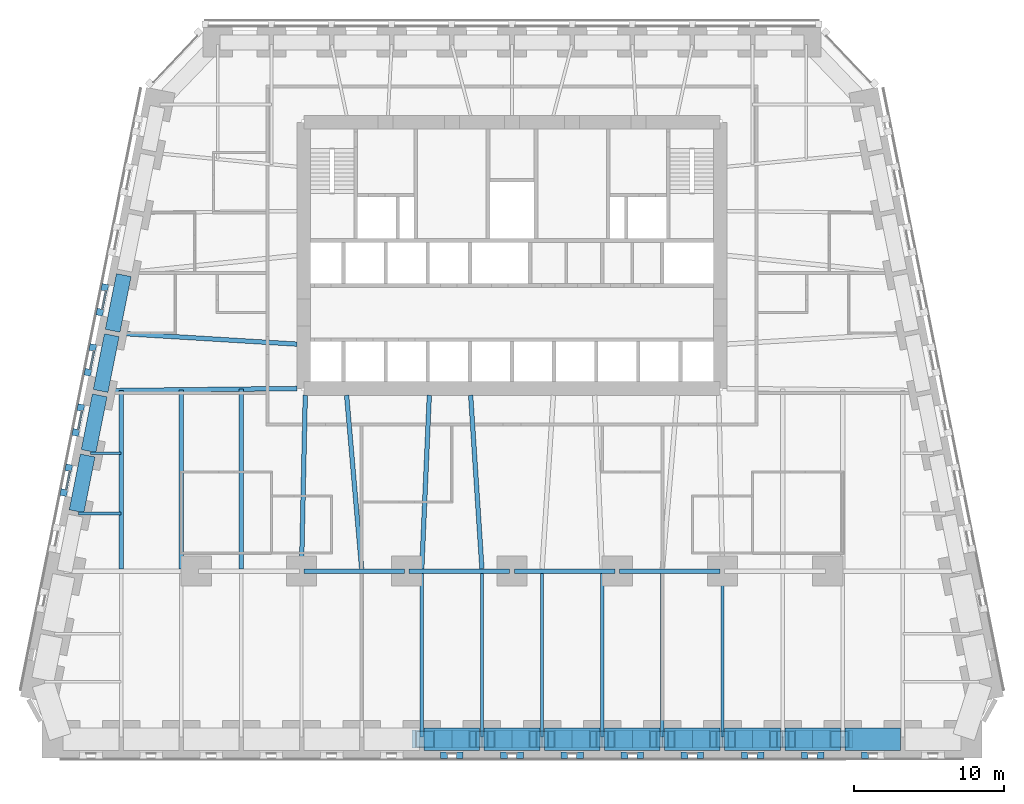
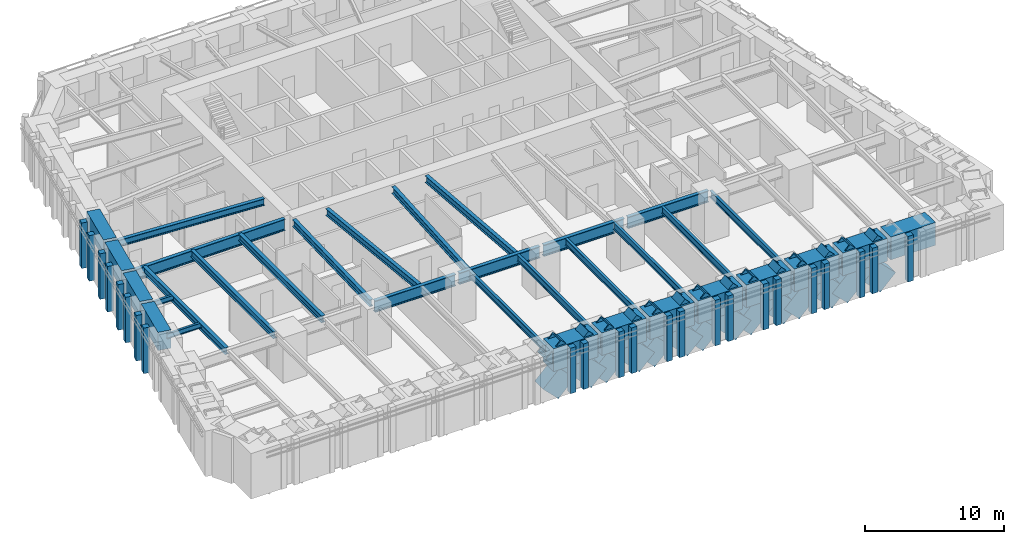
# One storey, part 2 of 16: 41 members, 33 beams, 12 elements without a shape of their own.
"""IFC4 building model written with IfcOpenShell, lengths in metres."""

from ifc_helpers import new_model, si_unit, direction, frame, origin, origin_2d, place, context, subcontext, project, spatial, rectangle, hollow_rectangle, i_section, extrude, material, material_profile, profile_set, type_object, element, aggregate, save


model = new_model("IFC4")

# Units and contexts
model_context = context("Model", 3, precision=1e-05, world=origin(), true_north=direction((0.0, 1.0)))
body_context = subcontext(model_context, "Body", "Model", "MODEL_VIEW")
ifc_project = project(units=[si_unit("LENGTHUNIT", "METRE"), si_unit("AREAUNIT", "SQUARE_METRE"), si_unit("VOLUMEUNIT", "CUBIC_METRE"), si_unit("PLANEANGLEUNIT", "RADIAN"), si_unit("MASSUNIT", "GRAM", prefix="KILO")], contexts=[model_context])

# Site, building, storey
site_placement = place(None, origin())
site = spatial("IfcSite", under=ifc_project, at=site_placement, CompositionType="ELEMENT")
building_placement = place(site_placement, origin())
building = spatial("IfcBuilding", under=site, at=building_placement, Name="Isbrekke Arena Tower", CompositionType="ELEMENT")
storey_placement = place(building_placement, frame((0.0, 0.0, 40.0)))
storey = spatial("IfcBuildingStorey", under=building, at=storey_placement, Name="L07", CompositionType="ELEMENT", Elevation=40.0)

# Beams
ifc_material_1 = material(Name="Steel S355", Category="steel")
ifc_material_profile_1 = material_profile(ifc_material_1, i_section(OverallWidth=0.219970703125, OverallDepth=0.60009765625, WebThickness=0.011962890625, FlangeThickness=0.01904296875, FilletRadius=0.02392578125, at=origin_2d()), Name="IPE 600")
ifc_profile_set_1 = profile_set([ifc_material_profile_1], Name="Steel S355")
beam_type_1 = type_object("IfcBeamType", Name="B1 IPE 600", PredefinedType="BEAM", material=ifc_profile_set_1)
for number, where, z_axis, x_axis, name in (
    (1, (-6.0, -17.02490234375, 3.550048828125), (0.0, 1.0, 0.0), (-1.0, 0.0, 0.0), "B1 beam S-S07 L07"),
    (2, (-2.0, -17.02490234375, 3.550048828125), (0.0, 1.0, 0.0), (-1.0, 0.0, 0.0), "B1 beam S-S08 L07"),
    (3, (2.0, -17.02490234375, 3.550048828125), (0.0, 1.0, 0.0), (-1.0, 0.0, 0.0), "B1 beam S-S09 L07"),
    (4, (6.0, -17.02490234375, 3.550048828125), (0.0, 1.0, 0.0), (-1.0, 0.0, 0.0), "B1 beam S-S10 L07"),
    (5, (10.0, -17.02490234375, 3.550048828125), (0.0, 1.0, 0.0), (-1.0, 0.0, 0.0), "B1 beam S-S11 L07"),
):
    element("IfcBeam", number, at=place(storey_placement, frame(where, z_axis=z_axis, x_axis=x_axis)), inside=storey, type_object=beam_type_1, Name=name, PredefinedType="BEAM", context=body_context, shape_type="SweptSolid", body=[
        extrude(i_section(OverallWidth=0.219970703125, OverallDepth=0.60009765625, WebThickness=0.011962890625, FlangeThickness=0.01904296875, FilletRadius=0.02392578125, at=origin_2d()), origin(), (0.0, 0.0, 1.0), 10.8740234375),
    ])
beam_1_placement = place(storey_placement, frame((14.0, -17.02490234375, 3.550048828125), z_axis=(0.0, 1.0, 0.0), x_axis=(-1.0, 0.0, 0.0)))
element("IfcBeam", 6, at=beam_1_placement, inside=storey, type_object=beam_type_1, Name="B1 beam S-S12 L07", PredefinedType="BEAM", context=body_context, shape_type="SweptSolid", body=[
    extrude(i_section(OverallWidth=0.219970703125, OverallDepth=0.60009765625, WebThickness=0.011962890625, FlangeThickness=0.01904296875, FilletRadius=0.02392578125, at=origin_2d()), origin(), (0.0, 0.0, 1.0), 10.875),
])
ifc_material_2 = material(Name="Steel S355", Category="steel")
ifc_material_profile_2 = material_profile(ifc_material_2, i_section(OverallWidth=0.18994140625, OverallDepth=0.449951171875, WebThickness=0.009521484375, FlangeThickness=0.0146484375, FilletRadius=0.02099609375, at=origin_2d()), Name="IPE 450")
ifc_profile_set_2 = profile_set([ifc_material_profile_2], Name="Steel S355")
beam_type_2 = type_object("IfcBeamType", Name="B2 IPE 450", PredefinedType="BEAM", material=ifc_profile_set_2)
beam_2_placement = place(storey_placement, frame((-28.041015625, 1.838134765625, 3.625), z_axis=(1.0, 0.0, 0.0), x_axis=(0.0, 1.0, 0.0)))
element("IfcBeam", 7, at=beam_2_placement, inside=storey, type_object=beam_type_2, Name="B2 beam E-W07 L07", PredefinedType="BEAM", context=body_context, shape_type="SweptSolid", body=[
    extrude(i_section(OverallWidth=0.18994140625, OverallDepth=0.449951171875, WebThickness=0.009521484375, FlangeThickness=0.0146484375, FilletRadius=0.02099609375, at=origin_2d()), origin(), (0.0, 0.0, 1.0), 2.041015625),
])
beam_3_placement = place(storey_placement, frame((-28.841064453125, -2.161865234375, 3.625), z_axis=(1.0, 0.0, 0.0), x_axis=(0.0, 1.0, 0.0)))
element("IfcBeam", 8, at=beam_3_placement, inside=storey, type_object=beam_type_2, Name="B2 beam E-W08 L07", PredefinedType="BEAM", context=body_context, shape_type="SweptSolid", body=[
    extrude(i_section(OverallWidth=0.18994140625, OverallDepth=0.449951171875, WebThickness=0.009521484375, FlangeThickness=0.0146484375, FilletRadius=0.02099609375, at=origin_2d()), origin(), (0.0, 0.0, 1.0), 2.841064453125),
])
ifc_material_3 = material(Name="Steel S355", Category="steel")
ifc_material_profile_3 = material_profile(ifc_material_3, i_section(OverallWidth=0.300048828125, OverallDepth=0.60009765625, WebThickness=0.015380859375, FlangeThickness=0.030029296875, FilletRadius=0.027099609375, at=origin_2d()), Name="HEB 600")
ifc_profile_set_3 = profile_set([ifc_material_profile_3], Name="Steel S355")
beam_type_3 = type_object("IfcBeamType", Name="B7 HEB 600", PredefinedType="BEAM", material=ifc_profile_set_3)
beam_4_placement = place(storey_placement, frame((-26.0, -5.84912109375, 3.550048828125), z_axis=(0.0, 1.0, 0.0), x_axis=(-1.0, 0.0, 0.0)))
element("IfcBeam", 9, at=beam_4_placement, inside=storey, type_object=beam_type_3, Name="B7 beam C-M01 L07", PredefinedType="BEAM", context=body_context, shape_type="SweptSolid", body=[
    extrude(i_section(OverallWidth=0.300048828125, OverallDepth=0.60009765625, WebThickness=0.015380859375, FlangeThickness=0.030029296875, FilletRadius=0.027099609375, at=origin_2d()), origin(), (0.0, 0.0, 1.0), 11.864990234375),
])
beam_5_placement = place(storey_placement, frame((-22.0, -5.84912109375, 3.550048828125), z_axis=(0.0, 1.0, 0.0), x_axis=(-1.0, 0.0, 0.0)))
element("IfcBeam", 10, at=beam_5_placement, inside=storey, type_object=beam_type_3, Name="B7 beam C-M02 L07", PredefinedType="BEAM", context=body_context, shape_type="SweptSolid", body=[
    extrude(i_section(OverallWidth=0.300048828125, OverallDepth=0.60009765625, WebThickness=0.015380859375, FlangeThickness=0.030029296875, FilletRadius=0.027099609375, at=origin_2d()), origin(), (0.0, 0.0, 1.0), 11.910888671875),
])
beam_6_placement = place(storey_placement, frame((-18.0, -5.84912109375, 3.550048828125), z_axis=(0.0, 1.0, 0.0), x_axis=(-1.0, 0.0, 0.0)))
element("IfcBeam", 11, at=beam_6_placement, inside=storey, type_object=beam_type_3, Name="B7 beam C-M03 L07", PredefinedType="BEAM", context=body_context, shape_type="SweptSolid", body=[
    extrude(i_section(OverallWidth=0.300048828125, OverallDepth=0.60009765625, WebThickness=0.015380859375, FlangeThickness=0.030029296875, FilletRadius=0.027099609375, at=origin_2d()), origin(), (0.0, 0.0, 1.0), 11.956787109375),
])
beam_7_placement = place(storey_placement, frame((-14.0, -5.8466796875, 3.550048828125), z_axis=(0.021646264273, 0.999765692171, 0.0), x_axis=(-0.999765692171, 0.021646264273, 0.0)))
element("IfcBeam", 12, at=beam_7_placement, inside=storey, type_object=beam_type_3, Name="B7 beam C-M04 L07", PredefinedType="BEAM", context=body_context, shape_type="SweptSolid", body=[
    extrude(i_section(OverallWidth=0.300048828125, OverallDepth=0.60009765625, WebThickness=0.015380859375, FlangeThickness=0.030029296875, FilletRadius=0.027099609375, at=origin_2d()), origin(), (0.0, 0.0, 1.0), 11.54931640625),
])
beam_8_placement = place(storey_placement, frame((-10.001220703125, -5.836181640625, 3.550048828125), z_axis=(-0.086255671377, 0.996273034442, 0.0), x_axis=(-0.996273034442, -0.086255671377, 0.0)))
element("IfcBeam", 13, at=beam_8_placement, inside=storey, type_object=beam_type_3, Name="B7 beam C-M05 L07", PredefinedType="BEAM", context=body_context, shape_type="SweptSolid", body=[
    extrude(i_section(OverallWidth=0.300048828125, OverallDepth=0.60009765625, WebThickness=0.015380859375, FlangeThickness=0.030029296875, FilletRadius=0.027099609375, at=origin_2d()), origin(), (0.0, 0.0, 1.0), 11.579345703125),
])
beam_9_placement = place(storey_placement, frame((-5.999755859375, -5.842529296875, 3.550048828125), z_axis=(0.04325656756, 0.99906399663, 0.0), x_axis=(-0.99906399663, 0.04325656756, 0.0)))
element("IfcBeam", 14, at=beam_9_placement, inside=storey, type_object=beam_type_3, Name="B7 beam C-M06 L07", PredefinedType="BEAM", context=body_context, shape_type="SweptSolid", body=[
    extrude(i_section(OverallWidth=0.300048828125, OverallDepth=0.60009765625, WebThickness=0.015380859375, FlangeThickness=0.030029296875, FilletRadius=0.027099609375, at=origin_2d()), origin(), (0.0, 0.0, 1.0), 11.55322265625),
])
beam_10_placement = place(storey_placement, frame((-2.000732421875, -5.83935546875, 3.550048828125), z_axis=(-0.064795318476, 0.997898575359, 0.0), x_axis=(-0.997898575359, -0.064795318476, 0.0)))
element("IfcBeam", 15, at=beam_10_placement, inside=storey, type_object=beam_type_3, Name="B7 beam C-M07 L07", PredefinedType="BEAM", context=body_context, shape_type="SweptSolid", body=[
    extrude(i_section(OverallWidth=0.300048828125, OverallDepth=0.60009765625, WebThickness=0.015380859375, FlangeThickness=0.030029296875, FilletRadius=0.027099609375, at=origin_2d()), origin(), (0.0, 0.0, 1.0), 11.563720703125),
])
beam_11_placement = place(storey_placement, frame((-26.431884765625, 9.837646484375, 3.550048828125), z_axis=(0.998157121592, -0.060682457223, 0.0), x_axis=(0.060682457223, 0.998157121592, 0.0)))
element("IfcBeam", 16, at=beam_11_placement, inside=storey, type_object=beam_type_3, Name="B7 beam E-W05 L07", PredefinedType="BEAM", context=body_context, shape_type="SweptSolid", body=[
    extrude(i_section(OverallWidth=0.300048828125, OverallDepth=0.60009765625, WebThickness=0.015380859375, FlangeThickness=0.030029296875, FilletRadius=0.027099609375, at=origin_2d()), origin(), (0.0, 0.0, 1.0), 12.154296875),
])

# Curtain wall, members
ifc_material_4 = material(Name="Glazed aluminium curtain wall", Category="aluminium")
curtain_wall_type = type_object("IfcCurtainWallType", Name="CWL TOWER CURTAIN WALL LOW ZONE", PredefinedType="USERDEFINED", material=ifc_material_4)
curtain_wall_1_placement = place(storey_placement, origin())
curtain_wall_1 = element("IfcCurtainWall", 17, at=curtain_wall_1_placement, inside=storey, type_object=curtain_wall_type, Name="CWL curtain wall L07-S13", ObjectType="TOWER CURTAIN WALL LOW ZONE", PredefinedType="USERDEFINED")
ifc_material_5 = material(Name="Aluminium mullion, pale brick slip cladding", Category="masonry")
ifc_material_profile_4 = material_profile(ifc_material_5, rectangle(XDim=0.449951171875, YDim=0.449951171875, at=origin_2d()), Name="PIER 450X450")
ifc_profile_set_4 = profile_set([ifc_material_profile_4], Name="Aluminium mullion, pale brick slip cladding")
member_type_1 = type_object("IfcMemberType", Name="CWL-M PIER MULLION 450 x 450", PredefinedType="MULLION", material=ifc_profile_set_4)
member_1_placement = place(storey_placement, frame((-4.52490234375, -18.25, 0.0), z_axis=(0.0, 0.0, 1.0), x_axis=(1.0, 0.0, 0.0)))
member_1 = element("IfcMember", 18, at=member_1_placement, type_object=member_type_1, Name="CWL-M mullion 1", PredefinedType="MULLION", context=body_context, shape_type="SweptSolid", body=[
    extrude(rectangle(XDim=0.449951171875, YDim=0.449951171875, at=origin_2d()), origin(), (0.0, 0.0, 1.0), 4.0),
])
member_2_placement = place(storey_placement, frame((-3.47509765625, -18.25, 0.0), z_axis=(0.0, 0.0, 1.0), x_axis=(1.0, 0.0, 0.0)))
member_2 = element("IfcMember", 19, at=member_2_placement, type_object=member_type_1, Name="CWL-M mullion 2", PredefinedType="MULLION", context=body_context, shape_type="SweptSolid", body=[
    extrude(rectangle(XDim=0.449951171875, YDim=0.449951171875, at=origin_2d()), origin(), (0.0, 0.0, 1.0), 4.0),
])
aggregate(curtain_wall_1, [member_1, member_2])

curtain_wall_2_placement = place(storey_placement, origin())
curtain_wall_2 = element("IfcCurtainWall", 20, at=curtain_wall_2_placement, inside=storey, type_object=curtain_wall_type, Name="CWL curtain wall L07-S15", ObjectType="TOWER CURTAIN WALL LOW ZONE", PredefinedType="USERDEFINED")
member_3_placement = place(storey_placement, frame((-0.52490234375, -18.25, 0.0), z_axis=(0.0, 0.0, 1.0), x_axis=(1.0, 0.0, 0.0)))
member_3 = element("IfcMember", 21, at=member_3_placement, type_object=member_type_1, Name="CWL-M mullion 1", PredefinedType="MULLION", context=body_context, shape_type="SweptSolid", body=[
    extrude(rectangle(XDim=0.449951171875, YDim=0.449951171875, at=origin_2d()), origin(), (0.0, 0.0, 1.0), 4.0),
])
member_4_placement = place(storey_placement, frame((0.52490234375, -18.25, 0.0), z_axis=(0.0, 0.0, 1.0), x_axis=(1.0, 0.0, 0.0)))
member_4 = element("IfcMember", 22, at=member_4_placement, type_object=member_type_1, Name="CWL-M mullion 2", PredefinedType="MULLION", context=body_context, shape_type="SweptSolid", body=[
    extrude(rectangle(XDim=0.449951171875, YDim=0.449951171875, at=origin_2d()), origin(), (0.0, 0.0, 1.0), 4.0),
])
aggregate(curtain_wall_2, [member_3, member_4])

curtain_wall_3_placement = place(storey_placement, origin())
curtain_wall_3 = element("IfcCurtainWall", 23, at=curtain_wall_3_placement, inside=storey, type_object=curtain_wall_type, Name="CWL curtain wall L07-S17", ObjectType="TOWER CURTAIN WALL LOW ZONE", PredefinedType="USERDEFINED")
member_5_placement = place(storey_placement, frame((3.47509765625, -18.25, 0.0), z_axis=(0.0, 0.0, 1.0), x_axis=(1.0, 0.0, 0.0)))
member_5 = element("IfcMember", 24, at=member_5_placement, type_object=member_type_1, Name="CWL-M mullion 1", PredefinedType="MULLION", context=body_context, shape_type="SweptSolid", body=[
    extrude(rectangle(XDim=0.449951171875, YDim=0.449951171875, at=origin_2d()), origin(), (0.0, 0.0, 1.0), 4.0),
])
member_6_placement = place(storey_placement, frame((4.52490234375, -18.25, 0.0), z_axis=(0.0, 0.0, 1.0), x_axis=(1.0, 0.0, 0.0)))
member_6 = element("IfcMember", 25, at=member_6_placement, type_object=member_type_1, Name="CWL-M mullion 2", PredefinedType="MULLION", context=body_context, shape_type="SweptSolid", body=[
    extrude(rectangle(XDim=0.449951171875, YDim=0.449951171875, at=origin_2d()), origin(), (0.0, 0.0, 1.0), 4.0),
])
aggregate(curtain_wall_3, [member_5, member_6])

curtain_wall_4_placement = place(storey_placement, origin())
curtain_wall_4 = element("IfcCurtainWall", 26, at=curtain_wall_4_placement, inside=storey, type_object=curtain_wall_type, Name="CWL curtain wall L07-S19", ObjectType="TOWER CURTAIN WALL LOW ZONE", PredefinedType="USERDEFINED")
member_7_placement = place(storey_placement, frame((7.47509765625, -18.25, 0.0), z_axis=(0.0, 0.0, 1.0), x_axis=(1.0, 0.0, 0.0)))
member_7 = element("IfcMember", 27, at=member_7_placement, type_object=member_type_1, Name="CWL-M mullion 1", PredefinedType="MULLION", context=body_context, shape_type="SweptSolid", body=[
    extrude(rectangle(XDim=0.449951171875, YDim=0.449951171875, at=origin_2d()), origin(), (0.0, 0.0, 1.0), 4.0),
])
member_8_placement = place(storey_placement, frame((8.52490234375, -18.25, 0.0), z_axis=(0.0, 0.0, 1.0), x_axis=(1.0, 0.0, 0.0)))
member_8 = element("IfcMember", 28, at=member_8_placement, type_object=member_type_1, Name="CWL-M mullion 2", PredefinedType="MULLION", context=body_context, shape_type="SweptSolid", body=[
    extrude(rectangle(XDim=0.449951171875, YDim=0.449951171875, at=origin_2d()), origin(), (0.0, 0.0, 1.0), 4.0),
])
aggregate(curtain_wall_4, [member_7, member_8])

curtain_wall_5_placement = place(storey_placement, origin())
curtain_wall_5 = element("IfcCurtainWall", 29, at=curtain_wall_5_placement, inside=storey, type_object=curtain_wall_type, Name="CWL curtain wall L07-S21", ObjectType="TOWER CURTAIN WALL LOW ZONE", PredefinedType="USERDEFINED")
member_9_placement = place(storey_placement, frame((11.47509765625, -18.25, 0.0), z_axis=(0.0, 0.0, 1.0), x_axis=(1.0, 0.0, 0.0)))
member_9 = element("IfcMember", 30, at=member_9_placement, type_object=member_type_1, Name="CWL-M mullion 1", PredefinedType="MULLION", context=body_context, shape_type="SweptSolid", body=[
    extrude(rectangle(XDim=0.449951171875, YDim=0.449951171875, at=origin_2d()), origin(), (0.0, 0.0, 1.0), 4.0),
])
member_10_placement = place(storey_placement, frame((12.52490234375, -18.25, 0.0), z_axis=(0.0, 0.0, 1.0), x_axis=(1.0, 0.0, 0.0)))
member_10 = element("IfcMember", 31, at=member_10_placement, type_object=member_type_1, Name="CWL-M mullion 2", PredefinedType="MULLION", context=body_context, shape_type="SweptSolid", body=[
    extrude(rectangle(XDim=0.449951171875, YDim=0.449951171875, at=origin_2d()), origin(), (0.0, 0.0, 1.0), 4.0),
])
aggregate(curtain_wall_5, [member_9, member_10])

curtain_wall_6_placement = place(storey_placement, origin())
curtain_wall_6 = element("IfcCurtainWall", 32, at=curtain_wall_6_placement, inside=storey, type_object=curtain_wall_type, Name="CWL curtain wall L07-S23", ObjectType="TOWER CURTAIN WALL LOW ZONE", PredefinedType="USERDEFINED")
member_11_placement = place(storey_placement, frame((15.47509765625, -18.25, 0.0), z_axis=(0.0, 0.0, 1.0), x_axis=(1.0, 0.0, 0.0)))
member_11 = element("IfcMember", 33, at=member_11_placement, type_object=member_type_1, Name="CWL-M mullion 1", PredefinedType="MULLION", context=body_context, shape_type="SweptSolid", body=[
    extrude(rectangle(XDim=0.449951171875, YDim=0.449951171875, at=origin_2d()), origin(), (0.0, 0.0, 1.0), 4.0),
])
member_12_placement = place(storey_placement, frame((16.52490234375, -18.25, 0.0), z_axis=(0.0, 0.0, 1.0), x_axis=(1.0, 0.0, 0.0)))
member_12 = element("IfcMember", 34, at=member_12_placement, type_object=member_type_1, Name="CWL-M mullion 2", PredefinedType="MULLION", context=body_context, shape_type="SweptSolid", body=[
    extrude(rectangle(XDim=0.449951171875, YDim=0.449951171875, at=origin_2d()), origin(), (0.0, 0.0, 1.0), 4.0),
])
aggregate(curtain_wall_6, [member_11, member_12])

curtain_wall_7_placement = place(storey_placement, origin())
curtain_wall_7 = element("IfcCurtainWall", 35, at=curtain_wall_7_placement, inside=storey, type_object=curtain_wall_type, Name="CWL curtain wall L07-S25", ObjectType="TOWER CURTAIN WALL LOW ZONE", PredefinedType="USERDEFINED")
member_13_placement = place(storey_placement, frame((19.47509765625, -18.25, 0.0), z_axis=(0.0, 0.0, 1.0), x_axis=(1.0, 0.0, 0.0)))
member_13 = element("IfcMember", 36, at=member_13_placement, type_object=member_type_1, Name="CWL-M mullion 1", PredefinedType="MULLION", context=body_context, shape_type="SweptSolid", body=[
    extrude(rectangle(XDim=0.449951171875, YDim=0.449951171875, at=origin_2d()), origin(), (0.0, 0.0, 1.0), 4.0),
])
member_14_placement = place(storey_placement, frame((20.52490234375, -18.25, 0.0), z_axis=(0.0, 0.0, 1.0), x_axis=(1.0, 0.0, 0.0)))
member_14 = element("IfcMember", 37, at=member_14_placement, type_object=member_type_1, Name="CWL-M mullion 2", PredefinedType="MULLION", context=body_context, shape_type="SweptSolid", body=[
    extrude(rectangle(XDim=0.449951171875, YDim=0.449951171875, at=origin_2d()), origin(), (0.0, 0.0, 1.0), 4.0),
])
aggregate(curtain_wall_7, [member_13, member_14])

# Curtain wall, member
curtain_wall_8_placement = place(storey_placement, origin())
curtain_wall_8 = element("IfcCurtainWall", 38, at=curtain_wall_8_placement, inside=storey, type_object=curtain_wall_type, Name="CWL curtain wall L07-S27", ObjectType="TOWER CURTAIN WALL LOW ZONE", PredefinedType="USERDEFINED")
member_15_placement = place(storey_placement, frame((23.47509765625, -18.25, 0.0), z_axis=(0.0, 0.0, 1.0), x_axis=(1.0, 0.0, 0.0)))
member_15 = element("IfcMember", 39, at=member_15_placement, type_object=member_type_1, Name="CWL-M mullion 1", PredefinedType="MULLION", context=body_context, shape_type="SweptSolid", body=[
    extrude(rectangle(XDim=0.449951171875, YDim=0.449951171875, at=origin_2d()), origin(), (0.0, 0.0, 1.0), 4.0),
])
aggregate(curtain_wall_8, [member_15])

# Curtain wall, members
curtain_wall_9_placement = place(storey_placement, origin())
curtain_wall_9 = element("IfcCurtainWall", 40, at=curtain_wall_9_placement, inside=storey, type_object=curtain_wall_type, Name="CWL curtain wall L07-W7", ObjectType="TOWER CURTAIN WALL LOW ZONE", PredefinedType="USERDEFINED")
member_16_placement = place(storey_placement, frame((-27.08056640625, 12.872314453125, 0.0), z_axis=(0.0, 0.0, 1.0), x_axis=(-0.196116135138, -0.980580675691, 0.0)))
member_16 = element("IfcMember", 41, at=member_16_placement, type_object=member_type_1, Name="CWL-M mullion 1", PredefinedType="MULLION", context=body_context, shape_type="SweptSolid", body=[
    extrude(rectangle(XDim=0.449951171875, YDim=0.449951171875, at=origin_2d()), origin(), (0.0, 0.0, 1.0), 4.0),
])
member_17_placement = place(storey_placement, frame((-27.409912109375, 11.225830078125, 0.0), z_axis=(0.0, 0.0, 1.0), x_axis=(-0.196116135138, -0.980580675691, 0.0)))
member_17 = element("IfcMember", 42, at=member_17_placement, type_object=member_type_1, Name="CWL-M mullion 2", PredefinedType="MULLION", context=body_context, shape_type="SweptSolid", body=[
    extrude(rectangle(XDim=0.449951171875, YDim=0.449951171875, at=origin_2d()), origin(), (0.0, 0.0, 1.0), 4.0),
])

curtain_wall_10_placement = place(storey_placement, origin())
curtain_wall_10 = element("IfcCurtainWall", 43, at=curtain_wall_10_placement, inside=storey, type_object=curtain_wall_type, Name="CWL curtain wall L07-W9", ObjectType="TOWER CURTAIN WALL LOW ZONE", PredefinedType="USERDEFINED")
member_18_placement = place(storey_placement, frame((-27.88037109375, 8.872314453125, 0.0), z_axis=(0.0, 0.0, 1.0), x_axis=(-0.196116135138, -0.980580675691, 0.0)))
member_18 = element("IfcMember", 44, at=member_18_placement, type_object=member_type_1, Name="CWL-M mullion 1", PredefinedType="MULLION", context=body_context, shape_type="SweptSolid", body=[
    extrude(rectangle(XDim=0.449951171875, YDim=0.449951171875, at=origin_2d()), origin(), (0.0, 0.0, 1.0), 4.0),
])
member_19_placement = place(storey_placement, frame((-28.209716796875, 7.225830078125, 0.0), z_axis=(0.0, 0.0, 1.0), x_axis=(-0.196116135138, -0.980580675691, 0.0)))
member_19 = element("IfcMember", 45, at=member_19_placement, type_object=member_type_1, Name="CWL-M mullion 2", PredefinedType="MULLION", context=body_context, shape_type="SweptSolid", body=[
    extrude(rectangle(XDim=0.449951171875, YDim=0.449951171875, at=origin_2d()), origin(), (0.0, 0.0, 1.0), 4.0),
])

curtain_wall_11_placement = place(storey_placement, origin())
curtain_wall_11 = element("IfcCurtainWall", 46, at=curtain_wall_11_placement, inside=storey, type_object=curtain_wall_type, Name="CWL curtain wall L07-W11", ObjectType="TOWER CURTAIN WALL LOW ZONE", PredefinedType="USERDEFINED")
member_20_placement = place(storey_placement, frame((-28.680419921875, 4.872314453125, 0.0), z_axis=(0.0, 0.0, 1.0), x_axis=(-0.196116135138, -0.980580675691, 0.0)))
member_20 = element("IfcMember", 47, at=member_20_placement, type_object=member_type_1, Name="CWL-M mullion 1", PredefinedType="MULLION", context=body_context, shape_type="SweptSolid", body=[
    extrude(rectangle(XDim=0.449951171875, YDim=0.449951171875, at=origin_2d()), origin(), (0.0, 0.0, 1.0), 4.0),
])
member_21_placement = place(storey_placement, frame((-29.009765625, 3.225830078125, 0.0), z_axis=(0.0, 0.0, 1.0), x_axis=(-0.196116135138, -0.980580675691, 0.0)))
member_21 = element("IfcMember", 48, at=member_21_placement, type_object=member_type_1, Name="CWL-M mullion 2", PredefinedType="MULLION", context=body_context, shape_type="SweptSolid", body=[
    extrude(rectangle(XDim=0.449951171875, YDim=0.449951171875, at=origin_2d()), origin(), (0.0, 0.0, 1.0), 4.0),
])

curtain_wall_12_placement = place(storey_placement, origin())
curtain_wall_12 = element("IfcCurtainWall", 49, at=curtain_wall_12_placement, inside=storey, type_object=curtain_wall_type, Name="CWL curtain wall L07-W13", ObjectType="TOWER CURTAIN WALL LOW ZONE", PredefinedType="USERDEFINED")
member_22_placement = place(storey_placement, frame((-29.48046875, 0.872314453125, 0.0), z_axis=(0.0, 0.0, 1.0), x_axis=(-0.196116135138, -0.980580675691, 0.0)))
member_22 = element("IfcMember", 50, at=member_22_placement, type_object=member_type_1, Name="CWL-M mullion 1", PredefinedType="MULLION", context=body_context, shape_type="SweptSolid", body=[
    extrude(rectangle(XDim=0.449951171875, YDim=0.449951171875, at=origin_2d()), origin(), (0.0, 0.0, 1.0), 4.0),
])
member_23_placement = place(storey_placement, frame((-29.809814453125, -0.774169921875, 0.0), z_axis=(0.0, 0.0, 1.0), x_axis=(-0.196116135138, -0.980580675691, 0.0)))
member_23 = element("IfcMember", 51, at=member_23_placement, type_object=member_type_1, Name="CWL-M mullion 2", PredefinedType="MULLION", context=body_context, shape_type="SweptSolid", body=[
    extrude(rectangle(XDim=0.449951171875, YDim=0.449951171875, at=origin_2d()), origin(), (0.0, 0.0, 1.0), 4.0),
])

# Member
ifc_material_6 = material(Name="Aluminium transom", Category="aluminium")
ifc_material_profile_5 = material_profile(ifc_material_6, rectangle(XDim=0.1201171875, YDim=0.199951171875, at=origin_2d()), Name="TRANSOM 120X200")
ifc_profile_set_5 = profile_set([ifc_material_profile_5], Name="Aluminium transom")
member_type_2 = type_object("IfcMemberType", Name="CWL-T TRANSOM 120 x 200", PredefinedType="USERDEFINED", material=ifc_profile_set_5)
member_24_placement = place(storey_placement, frame((-27.001953125, 12.627197265625, 3.0), z_axis=(-0.19623071885, -0.980557751986, 0.0), x_axis=(0.980557751986, -0.19623071885, 0.0)))
member_24 = element("IfcMember", 52, at=member_24_placement, type_object=member_type_2, Name="CWL-T transom 1", ObjectType="TRANSOM", PredefinedType="USERDEFINED", context=body_context, shape_type="SweptSolid", body=[
    extrude(rectangle(XDim=0.1201171875, YDim=0.199951171875, at=origin_2d()), origin(), (0.0, 0.0, 1.0), 1.229248046875),
])

aggregate(curtain_wall_9, [member_16, member_17, member_24])

member_25_placement = place(storey_placement, frame((-27.802001953125, 8.627197265625, 3.0), z_axis=(-0.19623071885, -0.980557751986, 0.0), x_axis=(0.980557751986, -0.19623071885, 0.0)))
member_25 = element("IfcMember", 53, at=member_25_placement, type_object=member_type_2, Name="CWL-T transom 1", ObjectType="TRANSOM", PredefinedType="USERDEFINED", context=body_context, shape_type="SweptSolid", body=[
    extrude(rectangle(XDim=0.1201171875, YDim=0.199951171875, at=origin_2d()), origin(), (0.0, 0.0, 1.0), 1.229248046875),
])

aggregate(curtain_wall_10, [member_18, member_19, member_25])

member_26_placement = place(storey_placement, frame((-28.60205078125, 4.627197265625, 3.0), z_axis=(-0.196039741533, -0.980595951317, 0.0), x_axis=(0.980595951317, -0.196039741533, 0.0)))
member_26 = element("IfcMember", 54, at=member_26_placement, type_object=member_type_2, Name="CWL-T transom 1", ObjectType="TRANSOM", PredefinedType="USERDEFINED", context=body_context, shape_type="SweptSolid", body=[
    extrude(rectangle(XDim=0.1201171875, YDim=0.199951171875, at=origin_2d()), origin(), (0.0, 0.0, 1.0), 1.229248046875),
])

aggregate(curtain_wall_11, [member_20, member_21, member_26])

member_27_placement = place(storey_placement, frame((-29.402099609375, 0.627197265625, 3.0), z_axis=(-0.196039741533, -0.980595951317, 0.0), x_axis=(0.980595951317, -0.196039741533, 0.0)))
member_27 = element("IfcMember", 55, at=member_27_placement, type_object=member_type_2, Name="CWL-T transom 1", ObjectType="TRANSOM", PredefinedType="USERDEFINED", context=body_context, shape_type="SweptSolid", body=[
    extrude(rectangle(XDim=0.1201171875, YDim=0.199951171875, at=origin_2d()), origin(), (0.0, 0.0, 1.0), 1.229248046875),
])

aggregate(curtain_wall_12, [member_22, member_23, member_27])

# Beams
ifc_material_7 = material(Name="Steel S355", Category="steel")
ifc_material_profile_6 = material_profile(ifc_material_7, i_section(OverallWidth=0.302001953125, OverallDepth=1.008056640625, WebThickness=0.02099609375, FlangeThickness=0.0400390625, FilletRadius=0.030029296875, at=origin_2d()), Name="HEM 1000")
ifc_profile_set_6 = profile_set([ifc_material_profile_6], Name="Steel S355")
beam_type_4 = type_object("IfcBeamType", Name="G1 HEM 1000", PredefinedType="BEAM", material=ifc_profile_set_6)
for number, where, z_axis, x_axis, name in (
    (56, (-13.85009765625, -6.0, 3.345947265625), (1.0, 0.0, 0.0), (0.0, 1.0, 0.0), "G1 beam G1-03 L07"),
    (57, (-6.85009765625, -6.0, 3.345947265625), (1.0, 0.0, 0.0), (0.0, 1.0, 0.0), "G1 beam G1-04 L07"),
    (58, (0.14990234375, -6.0, 3.345947265625), (1.0, 0.0, 0.0), (0.0, 1.0, 0.0), "G1 beam G1-05 L07"),
    (59, (7.14990234375, -6.0, 3.345947265625), (1.0, 0.0, 0.0), (0.0, 1.0, 0.0), "G1 beam G1-06 L07"),
):
    element("IfcBeam", number, at=place(storey_placement, frame(where, z_axis=z_axis, x_axis=x_axis)), inside=storey, type_object=beam_type_4, Name=name, PredefinedType="BEAM", context=body_context, shape_type="SweptSolid", body=[
        extrude(i_section(OverallWidth=0.302001953125, OverallDepth=1.008056640625, WebThickness=0.02099609375, FlangeThickness=0.0400390625, FilletRadius=0.030029296875, at=origin_2d()), origin(), (0.0, 0.0, 1.0), 6.7001953125),
    ])
ifc_material_8 = material(Name="Steel S355", Category="steel")
ifc_material_profile_7 = material_profile(ifc_material_8, i_section(OverallWidth=0.302001953125, OverallDepth=1.008056640625, WebThickness=0.02099609375, FlangeThickness=0.0400390625, FilletRadius=0.030029296875, at=origin_2d()), Name="HEM 1000")
ifc_profile_set_7 = profile_set([ifc_material_profile_7], Name="Steel S355")
beam_type_5 = type_object("IfcBeamType", Name="G2 HEM 1000", PredefinedType="BEAM", material=ifc_profile_set_7)
beam_12_placement = place(storey_placement, frame((-14.300048828125, 6.14990234375, 3.345947265625), z_axis=(-0.999934429634, -0.011451481699, 0.0), x_axis=(0.011451481699, -0.999934429634, 0.0)))
element("IfcBeam", 60, at=beam_12_placement, inside=storey, type_object=beam_type_5, Name="G2 beam G2-W L07", PredefinedType="BEAM", context=body_context, shape_type="SweptSolid", body=[
    extrude(i_section(OverallWidth=0.302001953125, OverallDepth=1.008056640625, WebThickness=0.02099609375, FlangeThickness=0.0400390625, FilletRadius=0.030029296875, at=origin_2d()), origin(), (0.0, 0.0, 1.0), 13.09033203125),
])
ifc_material_9 = material(Name="Concrete B90 (C90/105)", Category="concrete")
ifc_material_profile_8 = material_profile(ifc_material_9, rectangle(XDim=1.0, YDim=1.60009765625, at=origin_2d()), Name="RC 1000x1600")
ifc_profile_set_8 = profile_set([ifc_material_profile_8], Name="Concrete B90 (C90/105)")
beam_type_6 = type_object("IfcBeamType", Name="SB1 RC 1000 x 1600", PredefinedType="SPANDREL", material=ifc_profile_set_8)
beam_13_placement = place(storey_placement, frame((-25.820556640625, 13.691162109375, 3.199951171875), z_axis=(-0.1960664412, -0.980590613169, 0.0), x_axis=(0.980590613169, -0.1960664412, 0.0)))
element("IfcBeam", 61, at=beam_13_placement, inside=storey, type_object=beam_type_6, Name="SB1 spandrel W04-W05 L07", PredefinedType="SPANDREL", context=body_context, shape_type="SweptSolid", body=[
    extrude(rectangle(XDim=1.0, YDim=1.60009765625, at=origin_2d()), origin(), (0.0, 0.0, 1.0), 3.779052734375),
])
for number, where, z_axis, x_axis, name in (
    (62, (-26.620361328125, 9.691162109375, 3.199951171875), (-0.196128558387, -0.980578190959, 0.0), (0.980578190959, -0.196128558387, 0.0), "SB1 spandrel W05-W06 L07"),
    (63, (-27.42041015625, 5.691162109375, 3.199951171875), (-0.196128558387, -0.980578190959, 0.0), (0.980578190959, -0.196128558387, 0.0), "SB1 spandrel W06-W07 L07"),
    (64, (-28.220458984375, 1.691162109375, 3.199951171875), (-0.196128558387, -0.980578190959, 0.0), (0.980578190959, -0.196128558387, 0.0), "SB1 spandrel W07-W08 L07"),
):
    element("IfcBeam", number, at=place(storey_placement, frame(where, z_axis=z_axis, x_axis=x_axis)), inside=storey, type_object=beam_type_6, Name=name, PredefinedType="SPANDREL", context=body_context, shape_type="SweptSolid", body=[
        extrude(rectangle(XDim=1.0, YDim=1.60009765625, at=origin_2d()), origin(), (0.0, 0.0, 1.0), 3.779296875),
    ])
ifc_material_10 = material(Name="Concrete B90 (C90/105)", Category="concrete")
ifc_material_profile_9 = material_profile(ifc_material_10, rectangle(XDim=1.5, YDim=2.0, at=origin_2d()), Name="RC 1500x2000")
ifc_profile_set_9 = profile_set([ifc_material_profile_9], Name="Concrete B90 (C90/105)")
beam_type_7 = type_object("IfcBeamType", Name="SB6 RC 1500 x 2000", PredefinedType="SPANDREL", material=ifc_profile_set_9)
for number, where, z_axis, x_axis, name in (
    (65, (-5.85009765625, -17.175048828125, 3.0), (1.0, 0.0, 0.0), (0.0, 1.0, 0.0), "SB6 spandrel S07-S08 L07"),
    (66, (-1.85009765625, -17.175048828125, 3.0), (1.0, 0.0, 0.0), (0.0, 1.0, 0.0), "SB6 spandrel S08-S09 L07"),
    (67, (2.14990234375, -17.175048828125, 3.0), (1.0, 0.0, 0.0), (0.0, 1.0, 0.0), "SB6 spandrel S09-S10 L07"),
    (68, (6.14990234375, -17.175048828125, 3.0), (1.0, 0.0, 0.0), (0.0, 1.0, 0.0), "SB6 spandrel S10-S11 L07"),
    (69, (10.14990234375, -17.175048828125, 3.0), (1.0, 0.0, 0.0), (0.0, 1.0, 0.0), "SB6 spandrel S11-S12 L07"),
    (70, (14.14990234375, -17.175048828125, 3.0), (1.0, 0.0, 0.0), (0.0, 1.0, 0.0), "SB6 spandrel S12-S13 L07"),
    (71, (18.14990234375, -17.175048828125, 3.0), (1.0, 0.0, 0.0), (0.0, 1.0, 0.0), "SB6 spandrel S13-S14 L07"),
    (72, (22.14990234375, -17.175048828125, 3.0), (1.0, 0.0, 0.0), (0.0, 1.0, 0.0), "SB6 spandrel S14-S15 L07"),
):
    element("IfcBeam", number, at=place(storey_placement, frame(where, z_axis=z_axis, x_axis=x_axis)), inside=storey, type_object=beam_type_7, Name=name, PredefinedType="SPANDREL", context=body_context, shape_type="SweptSolid", body=[
        extrude(rectangle(XDim=1.5, YDim=2.0, at=origin_2d()), origin(), (0.0, 0.0, 1.0), 3.7001953125),
    ])

# Members
ifc_material_11 = material(Name="Steel S460", Category="steel")
ifc_material_profile_10 = material_profile(ifc_material_11, hollow_rectangle(XDim=1.199951171875, YDim=1.800048828125, WallThickness=0.090087890625, at=origin_2d()), Name="BOX 1200x1800x90")
ifc_profile_set_10 = profile_set([ifc_material_profile_10], Name="Steel S460")
member_type_3 = type_object("IfcMemberType", Name="TB1 BOX 1200x1800x90", PredefinedType="BRACE", material=ifc_profile_set_10)
for number, where, z_axis, x_axis, name in (
    (73, (-6.0, -17.175048828125, 0.0), (0.707106781187, 0.0, 0.707106781187), (0.0, 1.0, 0.0), "TB1 transfer brace S07-S08 L07 A"),
    (74, (-5.779296875, -17.175048828125, 3.779296875), (0.707106781187, 0.0, -0.707106781187), (0.0, 1.0, 0.0), "TB1 transfer brace S07-S08 L07 B"),
    (75, (-2.0, -17.175048828125, 0.0), (0.707106781187, 0.0, 0.707106781187), (0.0, 1.0, 0.0), "TB1 transfer brace S08-S09 L07 A"),
    (76, (-1.779296875, -17.175048828125, 3.779296875), (0.707106781187, 0.0, -0.707106781187), (0.0, 1.0, 0.0), "TB1 transfer brace S08-S09 L07 B"),
    (77, (2.0, -17.175048828125, 0.0), (0.707106781187, 0.0, 0.707106781187), (0.0, 1.0, 0.0), "TB1 transfer brace S09-S10 L07 A"),
    (78, (2.220703125, -17.175048828125, 3.779296875), (0.707106781187, 0.0, -0.707106781187), (0.0, 1.0, 0.0), "TB1 transfer brace S09-S10 L07 B"),
    (79, (6.0, -17.175048828125, 0.0), (0.707106781187, 0.0, 0.707106781187), (0.0, 1.0, 0.0), "TB1 transfer brace S10-S11 L07 A"),
    (80, (6.220703125, -17.175048828125, 3.779296875), (0.707106781187, 0.0, -0.707106781187), (0.0, 1.0, 0.0), "TB1 transfer brace S10-S11 L07 B"),
    (81, (10.0, -17.175048828125, 0.0), (0.707106781187, 0.0, 0.707106781187), (0.0, 1.0, 0.0), "TB1 transfer brace S11-S12 L07 A"),
    (82, (10.220703125, -17.175048828125, 3.779296875), (0.707106781187, 0.0, -0.707106781187), (0.0, 1.0, 0.0), "TB1 transfer brace S11-S12 L07 B"),
    (83, (14.0, -17.175048828125, 0.0), (0.707106781187, 0.0, 0.707106781187), (0.0, 1.0, 0.0), "TB1 transfer brace S12-S13 L07 A"),
    (84, (14.220703125, -17.175048828125, 3.779296875), (0.707106781187, 0.0, -0.707106781187), (0.0, 1.0, 0.0), "TB1 transfer brace S12-S13 L07 B"),
    (85, (18.0, -17.175048828125, 0.0), (0.707106781187, 0.0, 0.707106781187), (0.0, 1.0, 0.0), "TB1 transfer brace S13-S14 L07 A"),
    (86, (18.220703125, -17.175048828125, 3.779296875), (0.707106781187, 0.0, -0.707106781187), (0.0, 1.0, 0.0), "TB1 transfer brace S13-S14 L07 B"),
):
    element("IfcMember", number, at=place(storey_placement, frame(where, z_axis=z_axis, x_axis=x_axis)), inside=storey, type_object=member_type_3, Name=name, PredefinedType="BRACE", context=body_context, shape_type="SweptSolid", body=[
        extrude(hollow_rectangle(XDim=1.199951171875, YDim=1.800048828125, WallThickness=0.090087890625, at=origin_2d()), origin(), (0.0, 0.0, 1.0), 5.3447265625),
    ])

save(model, "model.ifc")
